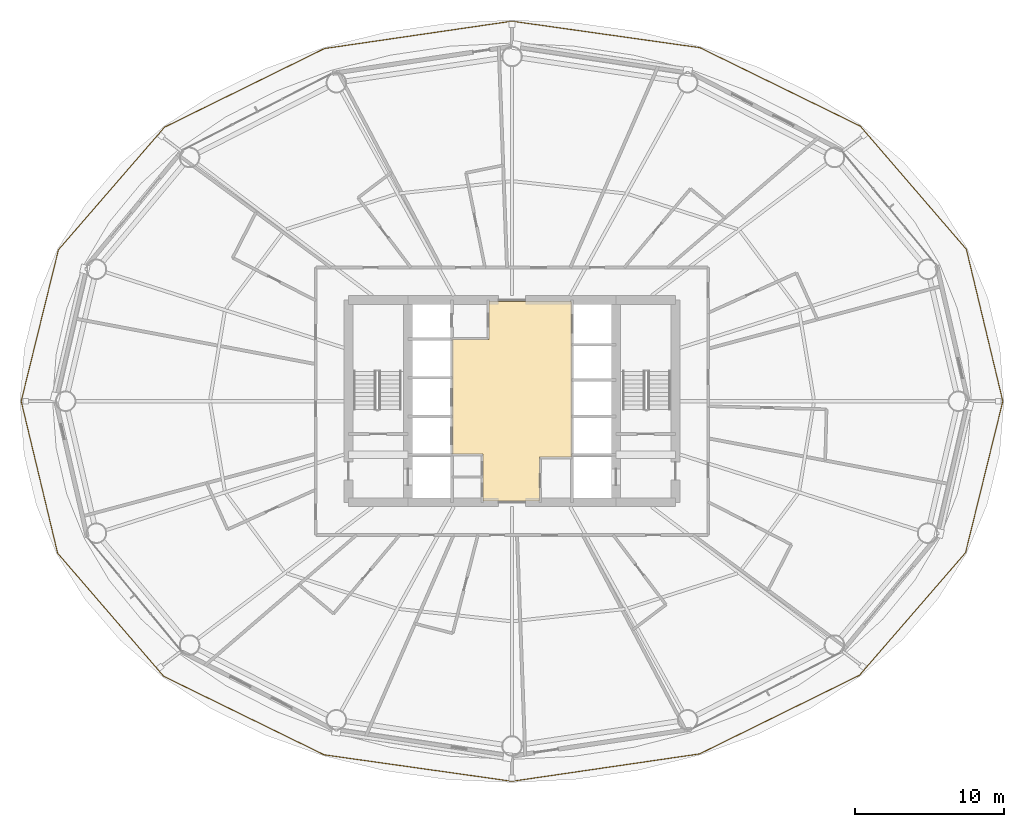
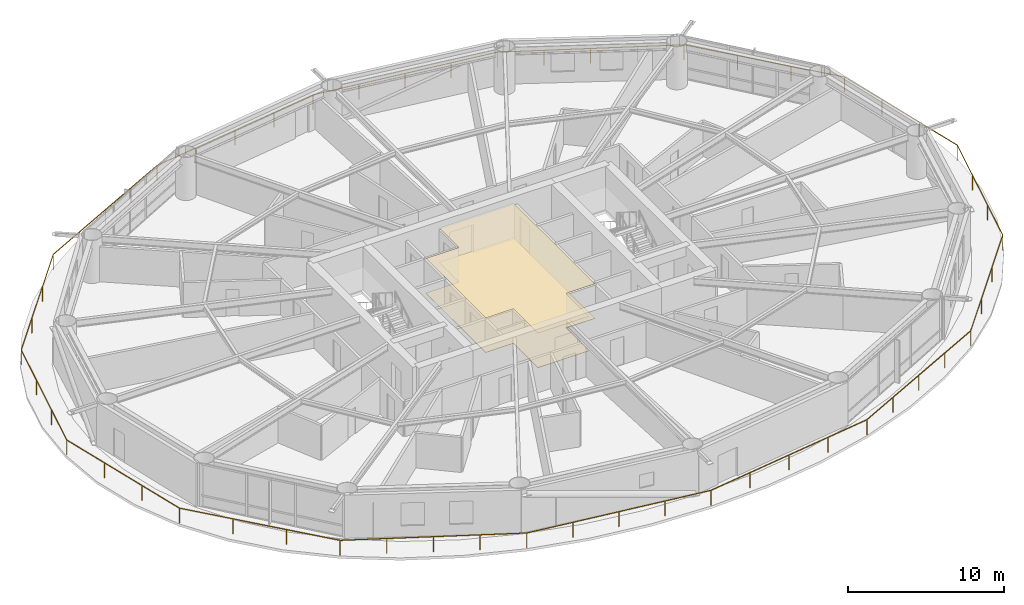
# One storey, part 25 of 26: 2 coverings, 1 railing.
"""IFC4 building model written with IfcOpenShell, lengths in metres."""

from ifc_helpers import new_model, si_unit, direction, frame, origin, origin_2d, place, context, subcontext, project, spatial, polyline, rectangle, outline, extrude, material, layer, layer_set, type_object, element, save


model = new_model("IFC4")

# Units and contexts
model_context = context("Model", 3, precision=1e-05, world=origin(), true_north=direction((0.0, 1.0)))
body_context = subcontext(model_context, "Body", "Model", "MODEL_VIEW")
ifc_project = project(units=[si_unit("LENGTHUNIT", "METRE"), si_unit("AREAUNIT", "SQUARE_METRE"), si_unit("VOLUMEUNIT", "CUBIC_METRE"), si_unit("PLANEANGLEUNIT", "RADIAN"), si_unit("MASSUNIT", "GRAM", prefix="KILO")], contexts=[model_context])

# Site, building, storey
site_placement = place(None, origin())
site = spatial("IfcSite", under=ifc_project, at=site_placement, CompositionType="ELEMENT")
building_placement = place(site_placement, origin())
building = spatial("IfcBuilding", under=site, at=building_placement, Name="Sarneth Arch Tower", CompositionType="ELEMENT")
storey_placement = place(building_placement, frame((0.0, 0.0, 42.60009765625)))
storey = spatial("IfcBuildingStorey", under=building, at=storey_placement, Name="L09", CompositionType="ELEMENT", Elevation=42.60009765625)

# Coverings
ifc_material_1 = material(Name="Perforated acoustic gypsum ceiling board")
ifc_layer_1 = layer(ifc_material_1, 0.02490234375)
ifc_layer_set_1 = layer_set([ifc_layer_1], Name="Perforated acoustic gypsum ceiling board")
covering_type_1 = type_object("IfcCoveringType", Name="COV-CEIL-GYP", PredefinedType="CEILING", material=ifc_layer_set_1)
covering_1_placement = place(storey_placement, frame((0.0, 0.0, 2.7099609375)))
element("IfcCovering", 1, at=covering_1_placement, inside=storey, type_object=covering_type_1, Name="L09 Lift lobby acoustic ceiling", PredefinedType="CEILING", context=body_context, shape_type="SweptSolid", body=[
    extrude(outline(polyline([(49.85009765625, 38.25), (49.85009765625, 35.300048828125), (46.050048828125, 35.300048828125), (46.050048828125, 38.449951171875), (44.0, 38.449951171875), (44.0, 46.14990234375), (46.449951171875, 46.14990234375), (46.449951171875, 48.699951171875), (52.0, 48.699951171875), (52.0, 38.25), (49.85009765625, 38.25)])), origin(), (0.0, 0.0, 1.0), 0.030029296875),
])
ifc_material_2 = material(Name="Honed granite stone flooring", Category="masonry")
ifc_layer_2 = layer(ifc_material_2, 0.030029296875)
ifc_layer_set_2 = layer_set([ifc_layer_2], Name="Honed granite stone flooring")
covering_type_2 = type_object("IfcCoveringType", Name="COV-FLR-STONE", PredefinedType="FLOORING", material=ifc_layer_set_2)
covering_2_placement = place(storey_placement, origin())
element("IfcCovering", 2, at=covering_2_placement, inside=storey, type_object=covering_type_2, Name="L09 Lift lobby granite flooring", PredefinedType="FLOORING", context=body_context, shape_type="SweptSolid", body=[
    extrude(outline(polyline([(49.85009765625, 38.25), (49.85009765625, 35.300048828125), (46.050048828125, 35.300048828125), (46.050048828125, 38.449951171875), (44.0, 38.449951171875), (44.0, 46.14990234375), (46.449951171875, 46.14990234375), (46.449951171875, 48.699951171875), (52.0, 48.699951171875), (52.0, 38.25), (49.85009765625, 38.25)])), origin(), (0.0, 0.0, 1.0), 0.02978515625),
])

# Railing
ifc_material_3 = material(Name="Laminated structural glass infill with Stainless Steel 316 top rail and posts", Category="steel")
railing_type = type_object("IfcRailingType", Name="RAIL-BALC-1200", PredefinedType="BALUSTRADE", material=ifc_material_3)
railing_placement = place(storey_placement, frame((81.0263671875, 42.0, 0.0)))
element("IfcRailing", 3, at=railing_placement, inside=storey, type_object=railing_type, Name="L09 Helical balcony glass balustrade", PredefinedType="BALUSTRADE", context=body_context, shape_type="SweptSolid", body=[
    extrude(rectangle(XDim=0.048095703125, YDim=0.048095703125, at=origin_2d()), frame((0.0, 0.0, 1.17578125), z_axis=(-0.233235940269, 0.972420174702, 0.0), x_axis=(-0.972420174702, -0.233235940269, 0.0)), (0.0, 0.0, 1.0), 10.513671875),
    extrude(rectangle(XDim=0.048095703125, YDim=0.048095703125, at=origin_2d()), frame((-2.4521484375, 10.2236328125, 1.17578125), z_axis=(-0.652638468226, 0.757669472654, 0.0), x_axis=(-0.757669472654, -0.652638468226, 0.0)), (0.0, 0.0, 1.0), 10.93896484375),
    extrude(rectangle(XDim=0.048095703125, YDim=0.048095703125, at=origin_2d()), frame((-9.59130859375, 18.51171875, 1.17578125), z_axis=(-0.898298117677, 0.439386494761, 0.0), x_axis=(-0.439386494761, -0.898298117677, 0.0)), (0.0, 0.0, 1.0), 12.016357421875),
    extrude(rectangle(XDim=0.048095703125, YDim=0.048095703125, at=origin_2d()), frame((-20.385498046875, 23.79150390625, 1.17578125), z_axis=(-0.990212066177, 0.139570999845, 0.0), x_axis=(-0.139570999845, -0.990212066177, 0.0)), (0.0, 0.0, 1.0), 12.765869140625),
    extrude(rectangle(XDim=0.048095703125, YDim=0.048095703125, at=origin_2d()), frame((-33.0263671875, 25.5732421875, 1.17578125), z_axis=(-0.989509166425, -0.144470099195, 0.0), x_axis=(0.144470099195, -0.989509166425, 0.0)), (0.0, 0.0, 1.0), 12.75537109375),
    extrude(rectangle(XDim=0.048095703125, YDim=0.048095703125, at=origin_2d()), frame((-45.64794921875, 23.73046875, 1.17578125), z_axis=(-0.897364242578, -0.441290625486, 0.0), x_axis=(0.441290625486, -0.897364242578, 0.0)), (0.0, 0.0, 1.0), 11.98974609375),
    extrude(rectangle(XDim=0.048095703125, YDim=0.048095703125, at=origin_2d()), frame((-56.4072265625, 18.439453125, 1.17578125), z_axis=(-0.654417356927, -0.756133535133, 0.0), x_axis=(0.756133535133, -0.654417356927, 0.0)), (0.0, 0.0, 1.0), 10.906494140625),
    extrude(rectangle(XDim=0.048095703125, YDim=0.048095703125, at=origin_2d()), frame((-63.544677734375, 10.192626953125, 1.17578125), z_axis=(-0.238938411037, -0.971034724266, 0.0), x_axis=(0.971034724266, -0.238938411037, 0.0)), (0.0, 0.0, 1.0), 10.49658203125),
    extrude(rectangle(XDim=0.048095703125, YDim=0.048095703125, at=origin_2d()), frame((-66.052734375, 0.0, 1.17578125), z_axis=(0.233235940269, -0.972420174702, 0.0), x_axis=(0.972420174702, 0.233235940269, 0.0)), (0.0, 0.0, 1.0), 10.513671875),
    extrude(rectangle(XDim=0.048095703125, YDim=0.048095703125, at=origin_2d()), frame((-63.6005859375, -10.2236328125, 1.17578125), z_axis=(0.652638468226, -0.757669472654, 0.0), x_axis=(0.757669472654, 0.652638468226, 0.0)), (0.0, 0.0, 1.0), 10.93896484375),
    extrude(rectangle(XDim=0.048095703125, YDim=0.048095703125, at=origin_2d()), frame((-56.46142578125, -18.51171875, 1.17578125), z_axis=(0.898298117677, -0.439386494761, 0.0), x_axis=(0.439386494761, 0.898298117677, 0.0)), (0.0, 0.0, 1.0), 12.016357421875),
    extrude(rectangle(XDim=0.048095703125, YDim=0.048095703125, at=origin_2d()), frame((-45.667236328125, -23.79150390625, 1.17578125), z_axis=(0.990212066177, -0.139570999845, 0.0), x_axis=(0.139570999845, 0.990212066177, 0.0)), (0.0, 0.0, 1.0), 12.765869140625),
    extrude(rectangle(XDim=0.048095703125, YDim=0.048095703125, at=origin_2d()), frame((-33.0263671875, -25.5732421875, 1.17578125), z_axis=(0.989509166425, 0.144470099195, 0.0), x_axis=(-0.144470099195, 0.989509166425, 0.0)), (0.0, 0.0, 1.0), 12.75537109375),
    extrude(rectangle(XDim=0.048095703125, YDim=0.048095703125, at=origin_2d()), frame((-20.40478515625, -23.73046875, 1.17578125), z_axis=(0.897364242578, 0.441290625486, 0.0), x_axis=(-0.441290625486, 0.897364242578, 0.0)), (0.0, 0.0, 1.0), 11.98974609375),
    extrude(rectangle(XDim=0.048095703125, YDim=0.048095703125, at=origin_2d()), frame((-9.6455078125, -18.439453125, 1.17578125), z_axis=(0.654417356927, 0.756133535133, 0.0), x_axis=(-0.756133535133, 0.654417356927, 0.0)), (0.0, 0.0, 1.0), 10.906494140625),
    extrude(rectangle(XDim=0.048095703125, YDim=0.048095703125, at=origin_2d()), frame((-2.508056640625, -10.192626953125, 1.17578125), z_axis=(0.238938411037, 0.971034724266, 0.0), x_axis=(-0.971034724266, 0.238938411037, 0.0)), (0.0, 0.0, 1.0), 10.49658203125),
    extrude(rectangle(XDim=0.0419921875, YDim=0.0419921875, at=origin_2d()), origin(), (0.0, 0.0, 1.0), 1.15185546875),
    extrude(rectangle(XDim=0.0419921875, YDim=0.0419921875, at=origin_2d()), frame((-0.8173828125, 3.407958984375, 0.0)), (0.0, 0.0, 1.0), 1.15185546875),
    extrude(rectangle(XDim=0.0419921875, YDim=0.0419921875, at=origin_2d()), frame((-1.634765625, 6.815673828125, 0.0)), (0.0, 0.0, 1.0), 1.15185546875),
    extrude(rectangle(XDim=0.0419921875, YDim=0.0419921875, at=origin_2d()), frame((-2.4521484375, 10.2236328125, 0.0)), (0.0, 0.0, 1.0), 1.15185546875),
    extrude(rectangle(XDim=0.0419921875, YDim=0.0419921875, at=origin_2d()), frame((-4.831787109375, 12.986328125, 0.0)), (0.0, 0.0, 1.0), 1.15185546875),
    extrude(rectangle(XDim=0.0419921875, YDim=0.0419921875, at=origin_2d()), frame((-7.211669921875, 15.7490234375, 0.0)), (0.0, 0.0, 1.0), 1.15185546875),
    extrude(rectangle(XDim=0.0419921875, YDim=0.0419921875, at=origin_2d()), frame((-9.59130859375, 18.51171875, 0.0)), (0.0, 0.0, 1.0), 1.15185546875),
    extrude(rectangle(XDim=0.0419921875, YDim=0.0419921875, at=origin_2d()), frame((-12.289794921875, 19.83154296875, 0.0)), (0.0, 0.0, 1.0), 1.15185546875),
    extrude(rectangle(XDim=0.0419921875, YDim=0.0419921875, at=origin_2d()), frame((-14.98828125, 21.151611328125, 0.0)), (0.0, 0.0, 1.0), 1.15185546875),
    extrude(rectangle(XDim=0.0419921875, YDim=0.0419921875, at=origin_2d()), frame((-17.68701171875, 22.4716796875, 0.0)), (0.0, 0.0, 1.0), 1.15185546875),
    extrude(rectangle(XDim=0.0419921875, YDim=0.0419921875, at=origin_2d()), frame((-20.385498046875, 23.79150390625, 0.0)), (0.0, 0.0, 1.0), 1.15185546875),
    extrude(rectangle(XDim=0.0419921875, YDim=0.0419921875, at=origin_2d()), frame((-23.545654296875, 24.23681640625, 0.0)), (0.0, 0.0, 1.0), 1.15185546875),
    extrude(rectangle(XDim=0.0419921875, YDim=0.0419921875, at=origin_2d()), frame((-26.7060546875, 24.682373046875, 0.0)), (0.0, 0.0, 1.0), 1.15185546875),
    extrude(rectangle(XDim=0.0419921875, YDim=0.0419921875, at=origin_2d()), frame((-29.8662109375, 25.1279296875, 0.0)), (0.0, 0.0, 1.0), 1.15185546875),
    extrude(rectangle(XDim=0.0419921875, YDim=0.0419921875, at=origin_2d()), frame((-33.0263671875, 25.5732421875, 0.0)), (0.0, 0.0, 1.0), 1.15185546875),
    extrude(rectangle(XDim=0.0419921875, YDim=0.0419921875, at=origin_2d()), frame((-36.181640625, 25.112548828125, 0.0)), (0.0, 0.0, 1.0), 1.15185546875),
    extrude(rectangle(XDim=0.0419921875, YDim=0.0419921875, at=origin_2d()), frame((-39.337158203125, 24.65185546875, 0.0)), (0.0, 0.0, 1.0), 1.15185546875),
    extrude(rectangle(XDim=0.0419921875, YDim=0.0419921875, at=origin_2d()), frame((-42.49267578125, 24.191162109375, 0.0)), (0.0, 0.0, 1.0), 1.15185546875),
    extrude(rectangle(XDim=0.0419921875, YDim=0.0419921875, at=origin_2d()), frame((-45.64794921875, 23.73046875, 0.0)), (0.0, 0.0, 1.0), 1.15185546875),
    extrude(rectangle(XDim=0.0419921875, YDim=0.0419921875, at=origin_2d()), frame((-48.337890625, 22.40771484375, 0.0)), (0.0, 0.0, 1.0), 1.15185546875),
    extrude(rectangle(XDim=0.0419921875, YDim=0.0419921875, at=origin_2d()), frame((-51.027587890625, 21.0849609375, 0.0)), (0.0, 0.0, 1.0), 1.15185546875),
    extrude(rectangle(XDim=0.0419921875, YDim=0.0419921875, at=origin_2d()), frame((-53.71728515625, 19.76220703125, 0.0)), (0.0, 0.0, 1.0), 1.15185546875),
    extrude(rectangle(XDim=0.0419921875, YDim=0.0419921875, at=origin_2d()), frame((-56.4072265625, 18.439453125, 0.0)), (0.0, 0.0, 1.0), 1.15185546875),
    extrude(rectangle(XDim=0.0419921875, YDim=0.0419921875, at=origin_2d()), frame((-58.786376953125, 15.6904296875, 0.0)), (0.0, 0.0, 1.0), 1.15185546875),
    extrude(rectangle(XDim=0.0419921875, YDim=0.0419921875, at=origin_2d()), frame((-61.16552734375, 12.941650390625, 0.0)), (0.0, 0.0, 1.0), 1.15185546875),
    extrude(rectangle(XDim=0.0419921875, YDim=0.0419921875, at=origin_2d()), frame((-63.544677734375, 10.192626953125, 0.0)), (0.0, 0.0, 1.0), 1.15185546875),
    extrude(rectangle(XDim=0.0419921875, YDim=0.0419921875, at=origin_2d()), frame((-64.380615234375, 6.795166015625, 0.0)), (0.0, 0.0, 1.0), 1.15185546875),
    extrude(rectangle(XDim=0.0419921875, YDim=0.0419921875, at=origin_2d()), frame((-65.216796875, 3.3974609375, 0.0)), (0.0, 0.0, 1.0), 1.15185546875),
    extrude(rectangle(XDim=0.0419921875, YDim=0.0419921875, at=origin_2d()), frame((-66.052734375, 0.0, 0.0)), (0.0, 0.0, 1.0), 1.15185546875),
    extrude(rectangle(XDim=0.0419921875, YDim=0.0419921875, at=origin_2d()), frame((-65.2353515625, -3.407958984375, 0.0)), (0.0, 0.0, 1.0), 1.15185546875),
    extrude(rectangle(XDim=0.0419921875, YDim=0.0419921875, at=origin_2d()), frame((-64.41796875, -6.815673828125, 0.0)), (0.0, 0.0, 1.0), 1.15185546875),
    extrude(rectangle(XDim=0.0419921875, YDim=0.0419921875, at=origin_2d()), frame((-63.6005859375, -10.2236328125, 0.0)), (0.0, 0.0, 1.0), 1.15185546875),
    extrude(rectangle(XDim=0.0419921875, YDim=0.0419921875, at=origin_2d()), frame((-61.220947265625, -12.986328125, 0.0)), (0.0, 0.0, 1.0), 1.15185546875),
    extrude(rectangle(XDim=0.0419921875, YDim=0.0419921875, at=origin_2d()), frame((-58.841064453125, -15.7490234375, 0.0)), (0.0, 0.0, 1.0), 1.15185546875),
    extrude(rectangle(XDim=0.0419921875, YDim=0.0419921875, at=origin_2d()), frame((-56.46142578125, -18.51171875, 0.0)), (0.0, 0.0, 1.0), 1.15185546875),
    extrude(rectangle(XDim=0.0419921875, YDim=0.0419921875, at=origin_2d()), frame((-53.762939453125, -19.83154296875, 0.0)), (0.0, 0.0, 1.0), 1.15185546875),
    extrude(rectangle(XDim=0.0419921875, YDim=0.0419921875, at=origin_2d()), frame((-51.064453125, -21.151611328125, 0.0)), (0.0, 0.0, 1.0), 1.15185546875),
    extrude(rectangle(XDim=0.0419921875, YDim=0.0419921875, at=origin_2d()), frame((-48.36572265625, -22.4716796875, 0.0)), (0.0, 0.0, 1.0), 1.15185546875),
    extrude(rectangle(XDim=0.0419921875, YDim=0.0419921875, at=origin_2d()), frame((-45.667236328125, -23.79150390625, 0.0)), (0.0, 0.0, 1.0), 1.15185546875),
    extrude(rectangle(XDim=0.0419921875, YDim=0.0419921875, at=origin_2d()), frame((-42.507080078125, -24.23681640625, 0.0)), (0.0, 0.0, 1.0), 1.15185546875),
    extrude(rectangle(XDim=0.0419921875, YDim=0.0419921875, at=origin_2d()), frame((-39.3466796875, -24.682373046875, 0.0)), (0.0, 0.0, 1.0), 1.15185546875),
    extrude(rectangle(XDim=0.0419921875, YDim=0.0419921875, at=origin_2d()), frame((-36.1865234375, -25.1279296875, 0.0)), (0.0, 0.0, 1.0), 1.15185546875),
    extrude(rectangle(XDim=0.0419921875, YDim=0.0419921875, at=origin_2d()), frame((-33.0263671875, -25.5732421875, 0.0)), (0.0, 0.0, 1.0), 1.15185546875),
    extrude(rectangle(XDim=0.0419921875, YDim=0.0419921875, at=origin_2d()), frame((-29.87109375, -25.112548828125, 0.0)), (0.0, 0.0, 1.0), 1.15185546875),
    extrude(rectangle(XDim=0.0419921875, YDim=0.0419921875, at=origin_2d()), frame((-26.715576171875, -24.65185546875, 0.0)), (0.0, 0.0, 1.0), 1.15185546875),
    extrude(rectangle(XDim=0.0419921875, YDim=0.0419921875, at=origin_2d()), frame((-23.56005859375, -24.191162109375, 0.0)), (0.0, 0.0, 1.0), 1.15185546875),
    extrude(rectangle(XDim=0.0419921875, YDim=0.0419921875, at=origin_2d()), frame((-20.40478515625, -23.73046875, 0.0)), (0.0, 0.0, 1.0), 1.15185546875),
    extrude(rectangle(XDim=0.0419921875, YDim=0.0419921875, at=origin_2d()), frame((-17.71484375, -22.40771484375, 0.0)), (0.0, 0.0, 1.0), 1.15185546875),
    extrude(rectangle(XDim=0.0419921875, YDim=0.0419921875, at=origin_2d()), frame((-15.025146484375, -21.0849609375, 0.0)), (0.0, 0.0, 1.0), 1.15185546875),
    extrude(rectangle(XDim=0.0419921875, YDim=0.0419921875, at=origin_2d()), frame((-12.33544921875, -19.76220703125, 0.0)), (0.0, 0.0, 1.0), 1.15185546875),
    extrude(rectangle(XDim=0.0419921875, YDim=0.0419921875, at=origin_2d()), frame((-9.6455078125, -18.439453125, 0.0)), (0.0, 0.0, 1.0), 1.15185546875),
    extrude(rectangle(XDim=0.0419921875, YDim=0.0419921875, at=origin_2d()), frame((-7.266357421875, -15.6904296875, 0.0)), (0.0, 0.0, 1.0), 1.15185546875),
    extrude(rectangle(XDim=0.0419921875, YDim=0.0419921875, at=origin_2d()), frame((-4.88720703125, -12.941650390625, 0.0)), (0.0, 0.0, 1.0), 1.15185546875),
    extrude(rectangle(XDim=0.0419921875, YDim=0.0419921875, at=origin_2d()), frame((-2.508056640625, -10.192626953125, 0.0)), (0.0, 0.0, 1.0), 1.15185546875),
    extrude(rectangle(XDim=0.0419921875, YDim=0.0419921875, at=origin_2d()), frame((-1.672119140625, -6.795166015625, 0.0)), (0.0, 0.0, 1.0), 1.15185546875),
    extrude(rectangle(XDim=0.0419921875, YDim=0.0419921875, at=origin_2d()), frame((-0.8359375, -3.3974609375, 0.0)), (0.0, 0.0, 1.0), 1.15185546875),
])

save(model, "model.ifc")
